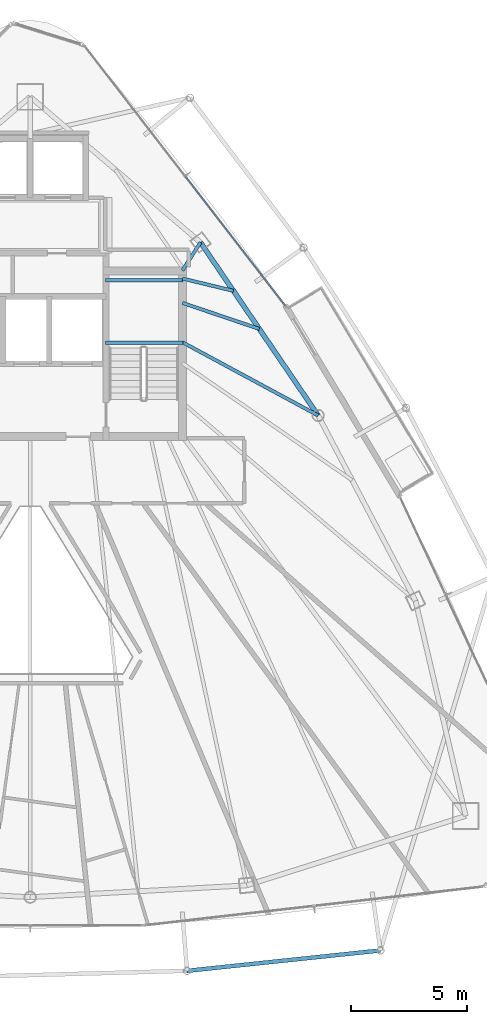
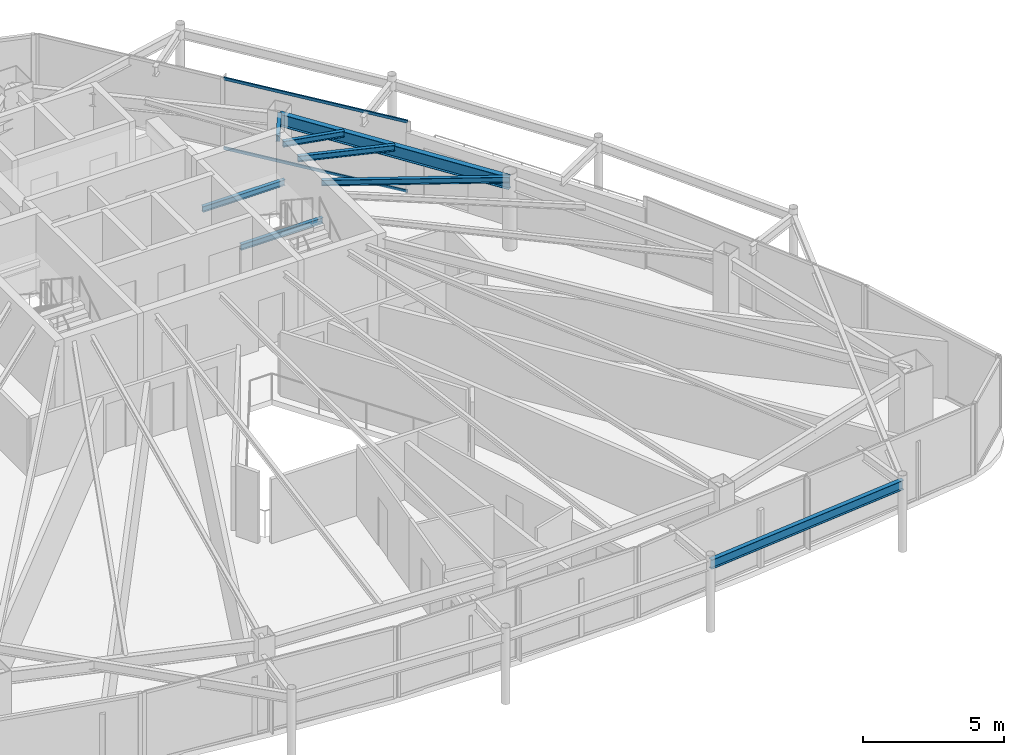
# One storey, part 13 of 28: 8 beams, 2 members, 1 element without a shape of its own.
"""IFC4 building model written with IfcOpenShell, lengths in metres."""

from ifc_helpers import new_model, si_unit, direction, frame, origin, origin_2d, place, context, subcontext, project, spatial, hollow_rectangle, i_section, extrude, material, layer, layer_set, material_profile, profile_set, type_object, element, aggregate, save


model = new_model("IFC4")

# Units and contexts
model_context = context("Model", 3, precision=1e-05, world=origin(), true_north=direction((0.0, 1.0)))
body_context = subcontext(model_context, "Body", "Model", "MODEL_VIEW")
ifc_project = project(units=[si_unit("LENGTHUNIT", "METRE"), si_unit("AREAUNIT", "SQUARE_METRE"), si_unit("VOLUMEUNIT", "CUBIC_METRE"), si_unit("PLANEANGLEUNIT", "RADIAN"), si_unit("MASSUNIT", "GRAM", prefix="KILO")], contexts=[model_context])

# Site, building, storey
site_placement = place(None, origin())
site = spatial("IfcSite", under=ifc_project, at=site_placement, CompositionType="ELEMENT")
building_placement = place(site_placement, origin())
building = spatial("IfcBuilding", under=site, at=building_placement, Name="Orvanel Arch Residences", CompositionType="ELEMENT")
storey_placement = place(building_placement, frame((0.0, 0.0, 260.14990234375)))
storey = spatial("IfcBuildingStorey", under=building, at=storey_placement, Name="L74", CompositionType="ELEMENT", Elevation=260.14990234375)

# Beams
ifc_material_1 = material(Name="Structural steel AS/NZS 3679.1 Grade 300 (300 MPa)", Category="steel")
ifc_material_profile_1 = material_profile(ifc_material_1, i_section(OverallWidth=0.14599609375, OverallDepth=0.251953125, WebThickness=0.006103515625, FlangeThickness=0.008544921875, at=origin_2d()), Name="250UB31.4")
ifc_profile_set_1 = profile_set([ifc_material_profile_1], Name="Structural steel AS/NZS 3679.1 Grade 300 (300 MPa)")
beam_type_1 = type_object("IfcBeamType", Name="BJ-250UB", PredefinedType="JOIST", material=ifc_profile_set_1)
for number, where, z_axis, x_axis, name in (
    (1, (36.25, 30.780029296875, 1.32421875), (1.0, 0.0, 0.0), (0.0, 1.0, 0.0), "L74 ST-2 Half-Landing Support Beam 1.1"),
    (2, (36.25, 33.47998046875, 1.32421875), (1.0, 0.0, 0.0), (0.0, 1.0, 0.0), "L74 ST-2 Half-Landing Support Beam 1.2"),
):
    element("IfcBeam", number, at=place(storey_placement, frame(where, z_axis=z_axis, x_axis=x_axis)), inside=storey, type_object=beam_type_1, Name=name, PredefinedType="JOIST", context=body_context, shape_type="SweptSolid", body=[
        extrude(i_section(OverallWidth=0.14599609375, OverallDepth=0.251953125, WebThickness=0.006103515625, FlangeThickness=0.008544921875, at=origin_2d()), origin(), (0.0, 0.0, 1.0), 3.35009765625),
    ])
beam_1_placement = place(storey_placement, frame((39.574951171875, 33.89990234375, 2.93408203125), z_axis=(0.539395075146, 0.842052820735, 0.0), x_axis=(-0.842052820735, 0.539395075146, 0.0)))
element("IfcBeam", 3, at=beam_1_placement, inside=storey, type_object=beam_type_1, Name="L74 NNE Wing Floor Joist", PredefinedType="JOIST", context=body_context, shape_type="SweptSolid", body=[
    extrude(i_section(OverallWidth=0.14599609375, OverallDepth=0.251953125, WebThickness=0.006103515625, FlangeThickness=0.008544921875, at=origin_2d()), origin(), (0.0, 0.0, 1.0), 1.440673828125),
])
beam_2_placement = place(storey_placement, frame((39.574951171875, 30.800048828125, 2.93408203125), z_axis=(0.880111494021, -0.474767056664, 0.0), x_axis=(0.474767056664, 0.880111494021, 0.0)))
element("IfcBeam", 4, at=beam_2_placement, inside=storey, type_object=beam_type_1, Name="L74 NE Wing Floor Joist", PredefinedType="JOIST", context=body_context, shape_type="SweptSolid", body=[
    extrude(i_section(OverallWidth=0.14599609375, OverallDepth=0.251953125, WebThickness=0.006103515625, FlangeThickness=0.008544921875, at=origin_2d()), origin(), (0.0, 0.0, 1.0), 6.653564453125),
])
beam_3_placement = place(storey_placement, frame((39.574951171875, 32.5, 2.93408203125), z_axis=(0.947159269453, -0.320763648641, 0.0), x_axis=(0.320763648641, 0.947159269453, 0.0)))
element("IfcBeam", 5, at=beam_3_placement, inside=storey, type_object=beam_type_1, Name="L74 ENE Wing Floor Joist", PredefinedType="JOIST", context=body_context, shape_type="SweptSolid", body=[
    extrude(i_section(OverallWidth=0.14599609375, OverallDepth=0.251953125, WebThickness=0.006103515625, FlangeThickness=0.008544921875, at=origin_2d()), origin(), (0.0, 0.0, 1.0), 3.501220703125),
])
beam_4_placement = place(storey_placement, frame((39.574951171875, 33.550048828125, 2.93408203125), z_axis=(0.972256833016, -0.23391590509, 0.0), x_axis=(0.23391590509, 0.972256833016, 0.0)))
element("IfcBeam", 6, at=beam_4_placement, inside=storey, type_object=beam_type_1, Name="L74 JADD4 Wing Floor Joist", PredefinedType="JOIST", context=body_context, shape_type="SweptSolid", body=[
    extrude(i_section(OverallWidth=0.14599609375, OverallDepth=0.251953125, WebThickness=0.006103515625, FlangeThickness=0.008544921875, at=origin_2d()), origin(), (0.0, 0.0, 1.0), 2.26171875),
])
ifc_material_profile_2 = material_profile(ifc_material_1, i_section(OverallWidth=0.177978515625, OverallDepth=0.406005859375, WebThickness=0.0078125, FlangeThickness=0.0126953125, at=origin_2d()), Name="410UB59.7")
ifc_profile_set_2 = profile_set([ifc_material_profile_2], Name="Structural steel AS/NZS 3679.1 Grade 300 (300 MPa)")
beam_type_2 = type_object("IfcBeamType", Name="OB-410UB-EXT", PredefinedType="SPANDREL", material=ifc_profile_set_2)
beam_5_placement = place(storey_placement, frame((39.77099609375, 3.6650390625, 2.857177734375), z_axis=(0.994506090216, 0.104678730039, 0.0), x_axis=(-0.104678730039, 0.994506090216, 0.0)))
element("IfcBeam", 7, at=beam_5_placement, inside=storey, type_object=beam_type_2, Name="L74 Outer Perimeter Floor Ring Beam 07", PredefinedType="SPANDREL", context=body_context, shape_type="SweptSolid", body=[
    extrude(i_section(OverallWidth=0.177978515625, OverallDepth=0.406005859375, WebThickness=0.0078125, FlangeThickness=0.0126953125, at=origin_2d()), origin(), (0.0, 0.0, 1.0), 8.396240234375),
])
ifc_material_profile_3 = material_profile(ifc_material_1, i_section(OverallWidth=0.208984375, OverallDepth=0.532958984375, WebThickness=0.01025390625, FlangeThickness=0.015625, at=origin_2d()), Name="530UB92.4")
ifc_profile_set_3 = profile_set([ifc_material_profile_3], Name="Structural steel AS/NZS 3679.1 Grade 300 (300 MPa)")
beam_type_3 = type_object("IfcBeamType", Name="SP-530UB", PredefinedType="SPANDREL", material=ifc_profile_set_3)
beam_6_placement = place(storey_placement, frame((45.430908203125, 27.64111328125, 2.793212890625), z_axis=(-0.562154793153, 0.827032035978, 0.0), x_axis=(-0.827032035978, -0.562154793153, 0.0)))
element("IfcBeam", 8, at=beam_6_placement, inside=storey, type_object=beam_type_3, Name="L74 Perimeter Spandrel Beam 08", PredefinedType="SPANDREL", context=body_context, shape_type="SweptSolid", body=[
    extrude(i_section(OverallWidth=0.208984375, OverallDepth=0.532958984375, WebThickness=0.01025390625, FlangeThickness=0.015625, at=origin_2d()), origin(), (0.0, 0.0, 1.0), 9.03466796875),
])

# Curtain wall, members
ifc_material_2 = material(Name="Bronze-anodised aluminium AA6063-T6", Category="aluminium")
ifc_layer = layer(ifc_material_2, 0.175048828125)
ifc_layer_set = layer_set([ifc_layer], Name="Bronze-anodised aluminium AA6063-T6")
curtain_wall_type = type_object("IfcCurtainWallType", Name="CW4-HI-SYS", PredefinedType="NOTDEFINED", material=ifc_layer_set)
curtain_wall_placement = place(storey_placement, origin())
curtain_wall = element("IfcCurtainWall", 9, at=curtain_wall_placement, inside=storey, type_object=curtain_wall_type, Name="L74 CW4-HI-SYS Unitised Curtain Wall", PredefinedType="NOTDEFINED")
ifc_material_profile_4 = material_profile(ifc_material_2, hollow_rectangle(XDim=0.06005859375, YDim=0.1201171875, WallThickness=0.00341796875, at=origin_2d()), Name="ALU120x60x3.5")
ifc_profile_set_4 = profile_set([ifc_material_profile_4], Name="Bronze-anodised aluminium AA6063-T6")
member_type = type_object("IfcMemberType", Name="TRN-120x60", PredefinedType="USERDEFINED", material=ifc_profile_set_4)
member_1_placement = place(storey_placement, frame((44.01025390625, 32.388427734375, 0.030029296875), z_axis=(-0.611588835985, 0.791175767892, 0.0), x_axis=(-0.791175767892, -0.611588835985, 0.0)))
member_1 = element("IfcMember", 10, at=member_1_placement, type_object=member_type, Name="CW-S4 transom 1.1", ObjectType="TRANSOM", PredefinedType="USERDEFINED", context=body_context, shape_type="SweptSolid", body=[
    extrude(hollow_rectangle(XDim=0.06005859375, YDim=0.1201171875, WallThickness=0.00341796875, at=origin_2d()), origin(), (0.0, 0.0, 1.0), 7.02978515625),
])
member_2_placement = place(storey_placement, frame((44.01025390625, 32.388427734375, 3.030029296875), z_axis=(-0.611588835985, 0.791175767892, 0.0), x_axis=(-0.791175767892, -0.611588835985, 0.0)))
member_2 = element("IfcMember", 11, at=member_2_placement, type_object=member_type, Name="CW-S4 transom 1.2", ObjectType="TRANSOM", PredefinedType="USERDEFINED", context=body_context, shape_type="SweptSolid", body=[
    extrude(hollow_rectangle(XDim=0.06005859375, YDim=0.1201171875, WallThickness=0.00341796875, at=origin_2d()), origin(), (0.0, 0.0, 1.0), 7.02978515625),
])
aggregate(curtain_wall, [member_1, member_2])

save(model, "model.ifc")
